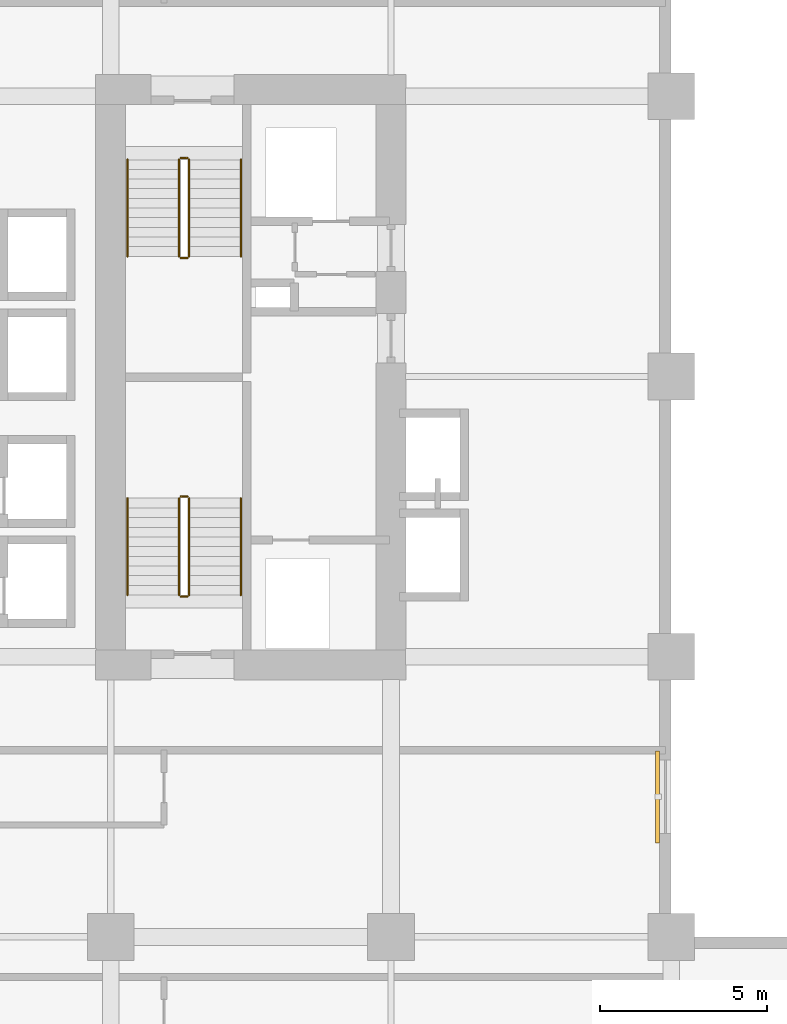
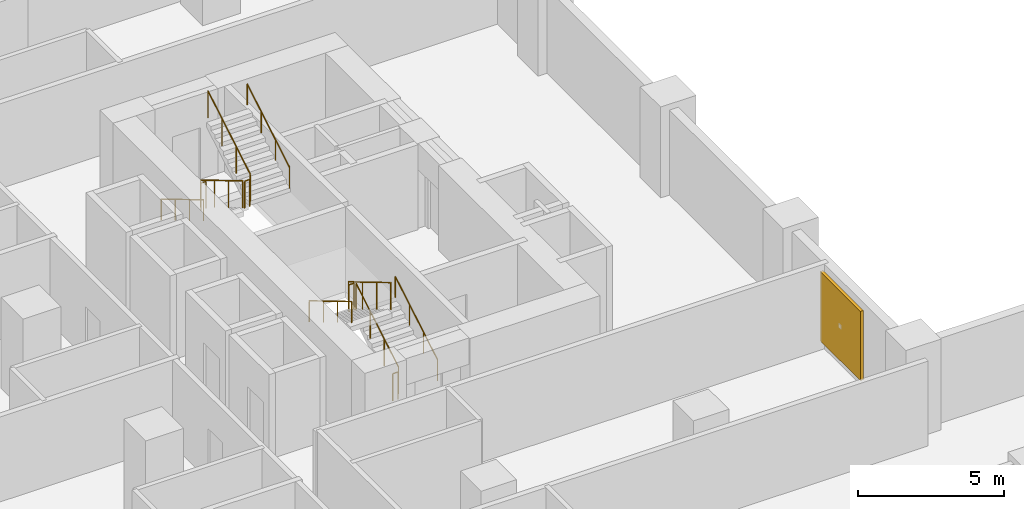
# One storey, part 19 of 20: 12 railings, 1 shading device.
"""IFC4 building model written with IfcOpenShell, lengths in metres."""

from ifc_helpers import new_model, si_unit, direction, frame, origin, origin_2d, place, context, subcontext, project, spatial, rectangle, circle, extrude, material, layer, layer_set, type_object, element, save


model = new_model("IFC4")

# Units and contexts
model_context = context("Model", 3, precision=1e-05, world=origin(), true_north=direction((0.0, 1.0)))
body_context = subcontext(model_context, "Body", "Model", "MODEL_VIEW")
ifc_project = project(units=[si_unit("LENGTHUNIT", "METRE"), si_unit("AREAUNIT", "SQUARE_METRE"), si_unit("VOLUMEUNIT", "CUBIC_METRE"), si_unit("PLANEANGLEUNIT", "RADIAN"), si_unit("MASSUNIT", "GRAM", prefix="KILO")], contexts=[model_context])

# Site, building, storey
site_placement = place(None, origin())
site = spatial("IfcSite", under=ifc_project, at=site_placement, CompositionType="ELEMENT")
building_placement = place(site_placement, origin())
building = spatial("IfcBuilding", under=site, at=building_placement, Name="Koriwani Terraces Tower", CompositionType="ELEMENT")
storey_placement = place(building_placement, frame((0.0, 0.0, 35.800048828125)))
storey = spatial("IfcBuildingStorey", under=building, at=storey_placement, Name="L07", CompositionType="ELEMENT", Elevation=35.800048828125)

# Railings
ifc_material_1 = material(Name="Steel ASTM A572 Grade 50", Category="steel")
railing_type_1 = type_object("IfcRailingType", Name="GUARD_STAIR_WELL_1120", PredefinedType="GUARDRAIL", material=ifc_material_1)
railing_1_placement = place(storey_placement, frame((19.14990234375, 43.85009765625, 0.172607421875)))
element("IfcRailing", 1, at=railing_1_placement, inside=storey, type_object=railing_type_1, Name="L07 ST-W1 stair guard 1", PredefinedType="GUARDRAIL", context=body_context, shape_type="SweptSolid", body=[
    extrude(circle(Radius=0.02392578125, at=origin_2d()), frame((0.0, 0.0, 1.1259765625), z_axis=(0.0, 0.859141464434, 0.511738159696), x_axis=(-1.0, 0.0, 0.0)), (0.0, 0.0, 1.0), 3.375244140625),
    extrude(circle(Radius=0.02099609375, at=origin_2d()), origin(), (0.0, 0.0, 1.0), 1.101806640625),
    extrude(circle(Radius=0.02099609375, at=origin_2d()), frame((0.0, 0.966552734375, 0.57568359375)), (0.0, 0.0, 1.0), 1.101806640625),
    extrude(circle(Radius=0.02099609375, at=origin_2d()), frame((0.0, 1.933349609375, 1.151611328125)), (0.0, 0.0, 1.0), 1.101806640625),
    extrude(circle(Radius=0.02099609375, at=origin_2d()), frame((0.0, 2.89990234375, 1.727294921875)), (0.0, 0.0, 1.0), 1.101806640625),
])
railing_2_placement = place(storey_placement, frame((19.10009765625, 46.800048828125, 1.89990234375)))
element("IfcRailing", 2, at=railing_2_placement, inside=storey, type_object=railing_type_1, Name="L07 ST-W1 stair guard 2", PredefinedType="GUARDRAIL", context=body_context, shape_type="SweptSolid", body=[
    extrude(circle(Radius=0.02392578125, at=origin_2d()), frame((0.0, 0.0, 1.1259765625), z_axis=(-1.0, 0.0, 0.0), x_axis=(0.0, -1.0, 0.0)), (0.0, 0.0, 1.0), 0.2001953125),
    extrude(circle(Radius=0.02099609375, at=origin_2d()), origin(), (0.0, 0.0, 1.0), 1.101806640625),
    extrude(circle(Radius=0.02099609375, at=origin_2d()), frame((-0.2001953125, 0.0, 0.0)), (0.0, 0.0, 1.0), 1.101806640625),
])
railing_3_placement = place(storey_placement, frame((18.85009765625, 46.75, 2.07275390625)))
element("IfcRailing", 3, at=railing_3_placement, inside=storey, type_object=railing_type_1, Name="L07 ST-W1 stair guard 3", PredefinedType="GUARDRAIL", context=body_context, shape_type="SweptSolid", body=[
    extrude(circle(Radius=0.02392578125, at=origin_2d()), frame((0.0, 0.0, 1.1259765625), z_axis=(0.0, -0.859141464434, 0.511738159696), x_axis=(1.0, 0.0, 0.0)), (0.0, 0.0, 1.0), 3.375244140625),
    extrude(circle(Radius=0.02099609375, at=origin_2d()), origin(), (0.0, 0.0, 1.0), 1.101806640625),
    extrude(circle(Radius=0.02099609375, at=origin_2d()), frame((0.0, -0.966552734375, 0.57568359375)), (0.0, 0.0, 1.0), 1.101806640625),
    extrude(circle(Radius=0.02099609375, at=origin_2d()), frame((0.0, -1.933349609375, 1.151611328125)), (0.0, 0.0, 1.0), 1.101806640625),
    extrude(circle(Radius=0.02099609375, at=origin_2d()), frame((0.0, -2.89990234375, 1.727294921875)), (0.0, 0.0, 1.0), 1.101806640625),
])
railing_4_placement = place(storey_placement, frame((19.10009765625, 43.800048828125, 0.0)))
element("IfcRailing", 4, at=railing_4_placement, inside=storey, type_object=railing_type_1, Name="L07 ST-W1 stair guard 4", PredefinedType="GUARDRAIL", context=body_context, shape_type="SweptSolid", body=[
    extrude(circle(Radius=0.02392578125, at=origin_2d()), frame((0.0, 0.0, 1.1259765625), z_axis=(-1.0, 0.0, 0.0), x_axis=(0.0, -1.0, 0.0)), (0.0, 0.0, 1.0), 0.2001953125),
    extrude(circle(Radius=0.02099609375, at=origin_2d()), origin(), (0.0, 0.0, 1.0), 1.101806640625),
    extrude(circle(Radius=0.02099609375, at=origin_2d()), frame((-0.2001953125, 0.0, 0.0)), (0.0, 0.0, 1.0), 1.101806640625),
])
railing_5_placement = place(storey_placement, frame((18.85009765625, 56.89990234375, 0.172607421875)))
element("IfcRailing", 5, at=railing_5_placement, inside=storey, type_object=railing_type_1, Name="L07 ST-W2 stair guard 1", PredefinedType="GUARDRAIL", context=body_context, shape_type="SweptSolid", body=[
    extrude(circle(Radius=0.02392578125, at=origin_2d()), frame((0.0, 0.0, 1.1259765625), z_axis=(0.0, -0.859141464434, 0.511738159696), x_axis=(1.0, 0.0, 0.0)), (0.0, 0.0, 1.0), 3.375244140625),
    extrude(circle(Radius=0.02099609375, at=origin_2d()), origin(), (0.0, 0.0, 1.0), 1.101806640625),
    extrude(circle(Radius=0.02099609375, at=origin_2d()), frame((0.0, -0.966552734375, 0.57568359375)), (0.0, 0.0, 1.0), 1.101806640625),
    extrude(circle(Radius=0.02099609375, at=origin_2d()), frame((0.0, -1.933349609375, 1.151611328125)), (0.0, 0.0, 1.0), 1.101806640625),
    extrude(circle(Radius=0.02099609375, at=origin_2d()), frame((0.0, -2.89990234375, 1.727294921875)), (0.0, 0.0, 1.0), 1.101806640625),
])
railing_6_placement = place(storey_placement, frame((18.89990234375, 53.949951171875, 1.89990234375)))
element("IfcRailing", 6, at=railing_6_placement, inside=storey, type_object=railing_type_1, Name="L07 ST-W2 stair guard 2", PredefinedType="GUARDRAIL", context=body_context, shape_type="SweptSolid", body=[
    extrude(circle(Radius=0.02392578125, at=origin_2d()), frame((0.0, 0.0, 1.1259765625), z_axis=(1.0, 0.0, 0.0), x_axis=(0.0, 1.0, 0.0)), (0.0, 0.0, 1.0), 0.2001953125),
    extrude(circle(Radius=0.02099609375, at=origin_2d()), origin(), (0.0, 0.0, 1.0), 1.101806640625),
    extrude(circle(Radius=0.02099609375, at=origin_2d()), frame((0.2001953125, 0.0, 0.0)), (0.0, 0.0, 1.0), 1.101806640625),
])
railing_7_placement = place(storey_placement, frame((19.14990234375, 54.0, 2.07275390625)))
element("IfcRailing", 7, at=railing_7_placement, inside=storey, type_object=railing_type_1, Name="L07 ST-W2 stair guard 3", PredefinedType="GUARDRAIL", context=body_context, shape_type="SweptSolid", body=[
    extrude(circle(Radius=0.02392578125, at=origin_2d()), frame((0.0, 0.0, 1.1259765625), z_axis=(0.0, 0.859141464434, 0.511738159696), x_axis=(-1.0, 0.0, 0.0)), (0.0, 0.0, 1.0), 3.375244140625),
    extrude(circle(Radius=0.02099609375, at=origin_2d()), origin(), (0.0, 0.0, 1.0), 1.101806640625),
    extrude(circle(Radius=0.02099609375, at=origin_2d()), frame((0.0, 0.966552734375, 0.57568359375)), (0.0, 0.0, 1.0), 1.101806640625),
    extrude(circle(Radius=0.02099609375, at=origin_2d()), frame((0.0, 1.933349609375, 1.151611328125)), (0.0, 0.0, 1.0), 1.101806640625),
    extrude(circle(Radius=0.02099609375, at=origin_2d()), frame((0.0, 2.89990234375, 1.727294921875)), (0.0, 0.0, 1.0), 1.101806640625),
])
railing_8_placement = place(storey_placement, frame((18.89990234375, 56.949951171875, 0.0)))
element("IfcRailing", 8, at=railing_8_placement, inside=storey, type_object=railing_type_1, Name="L07 ST-W2 stair guard 4", PredefinedType="GUARDRAIL", context=body_context, shape_type="SweptSolid", body=[
    extrude(circle(Radius=0.02392578125, at=origin_2d()), frame((0.0, 0.0, 1.1259765625), z_axis=(1.0, 0.0, 0.0), x_axis=(0.0, 1.0, 0.0)), (0.0, 0.0, 1.0), 0.2001953125),
    extrude(circle(Radius=0.02099609375, at=origin_2d()), origin(), (0.0, 0.0, 1.0), 1.101806640625),
    extrude(circle(Radius=0.02099609375, at=origin_2d()), frame((0.2001953125, 0.0, 0.0)), (0.0, 0.0, 1.0), 1.101806640625),
])
railing_type_2 = type_object("IfcRailingType", Name="HANDRAIL_STAIR_920", PredefinedType="HANDRAIL", material=ifc_material_1)
railing_9_placement = place(storey_placement, frame((20.699951171875, 43.85009765625, 0.172607421875)))
element("IfcRailing", 9, at=railing_9_placement, inside=storey, type_object=railing_type_2, Name="L07 ST-W1 stair handrail 1", PredefinedType="HANDRAIL", context=body_context, shape_type="SweptSolid", body=[
    extrude(circle(Radius=0.02392578125, at=origin_2d()), frame((0.0, 0.0, 0.8759765625), z_axis=(0.0, 0.859141464434, 0.511738159696), x_axis=(-1.0, 0.0, 0.0)), (0.0, 0.0, 1.0), 3.375244140625),
    extrude(circle(Radius=0.02099609375, at=origin_2d()), origin(), (0.0, 0.0, 1.0), 0.851806640625),
    extrude(circle(Radius=0.02099609375, at=origin_2d()), frame((0.0, 0.966552734375, 0.57568359375)), (0.0, 0.0, 1.0), 0.851806640625),
    extrude(circle(Radius=0.02099609375, at=origin_2d()), frame((0.0, 1.933349609375, 1.151611328125)), (0.0, 0.0, 1.0), 0.851806640625),
    extrude(circle(Radius=0.02099609375, at=origin_2d()), frame((0.0, 2.89990234375, 1.727294921875)), (0.0, 0.0, 1.0), 0.851806640625),
])
for number, where, name in (
    (10, (17.300048828125, 46.75, 2.07275390625), "L07 ST-W1 stair handrail 2"),
    (11, (17.300048828125, 56.89990234375, 0.172607421875), "L07 ST-W2 stair handrail 1"),
):
    element("IfcRailing", number, at=place(storey_placement, frame(where)), inside=storey, type_object=railing_type_2, Name=name, PredefinedType="HANDRAIL", context=body_context, shape_type="SweptSolid", body=[
        extrude(circle(Radius=0.02392578125, at=origin_2d()), frame((0.0, 0.0, 0.8759765625), z_axis=(0.0, -0.859141464434, 0.511738159696), x_axis=(1.0, 0.0, 0.0)), (0.0, 0.0, 1.0), 3.375244140625),
        extrude(circle(Radius=0.02099609375, at=origin_2d()), origin(), (0.0, 0.0, 1.0), 0.851806640625),
        extrude(circle(Radius=0.02099609375, at=origin_2d()), frame((0.0, -0.966552734375, 0.57568359375)), (0.0, 0.0, 1.0), 0.851806640625),
        extrude(circle(Radius=0.02099609375, at=origin_2d()), frame((0.0, -1.933349609375, 1.151611328125)), (0.0, 0.0, 1.0), 0.851806640625),
        extrude(circle(Radius=0.02099609375, at=origin_2d()), frame((0.0, -2.89990234375, 1.727294921875)), (0.0, 0.0, 1.0), 0.851806640625),
    ])
railing_10_placement = place(storey_placement, frame((20.699951171875, 54.0, 2.07275390625)))
element("IfcRailing", 12, at=railing_10_placement, inside=storey, type_object=railing_type_2, Name="L07 ST-W2 stair handrail 2", PredefinedType="HANDRAIL", context=body_context, shape_type="SweptSolid", body=[
    extrude(circle(Radius=0.02392578125, at=origin_2d()), frame((0.0, 0.0, 0.8759765625), z_axis=(0.0, 0.859141464434, 0.511738159696), x_axis=(-1.0, 0.0, 0.0)), (0.0, 0.0, 1.0), 3.375244140625),
    extrude(circle(Radius=0.02099609375, at=origin_2d()), origin(), (0.0, 0.0, 1.0), 0.851806640625),
    extrude(circle(Radius=0.02099609375, at=origin_2d()), frame((0.0, 0.966552734375, 0.57568359375)), (0.0, 0.0, 1.0), 0.851806640625),
    extrude(circle(Radius=0.02099609375, at=origin_2d()), frame((0.0, 1.933349609375, 1.151611328125)), (0.0, 0.0, 1.0), 0.851806640625),
    extrude(circle(Radius=0.02099609375, at=origin_2d()), frame((0.0, 2.89990234375, 1.727294921875)), (0.0, 0.0, 1.0), 0.851806640625),
])

# Shading device
ifc_material_2 = material(Name="Extruded Terracotta Clay", Category="masonry")
ifc_layer = layer(ifc_material_2, 0.1201171875, Name="Extruded Terracotta Clay")
ifc_layer_set = layer_set([ifc_layer], Name="Extruded Terracotta Clay")
shading_device_type = type_object("IfcShadingDeviceType", Name="TERRACOTTA_BAGUETTE_SCREEN_2800", PredefinedType="USERDEFINED", material=ifc_layer_set)
shading_device_placement = place(storey_placement, frame((33.195068359375, 37.800048828125, 0.324951171875), z_axis=(0.0, 0.0, 1.0), x_axis=(0.0, -1.0, 0.0)))
element("IfcShadingDevice", 13, at=shading_device_placement, inside=storey, type_object=shading_device_type, Name="L07 Extruded Terracotta Baguette Screen (NW_IN-2)", ObjectType="BAGUETTE", PredefinedType="USERDEFINED", context=body_context, shape_type="SweptSolid", body=[
    extrude(rectangle(XDim=2.760009765625, YDim=0.1201171875, at=origin_2d()), origin(), (0.0, 0.0, 1.0), 2.89990234375),
])

save(model, "model.ifc")
